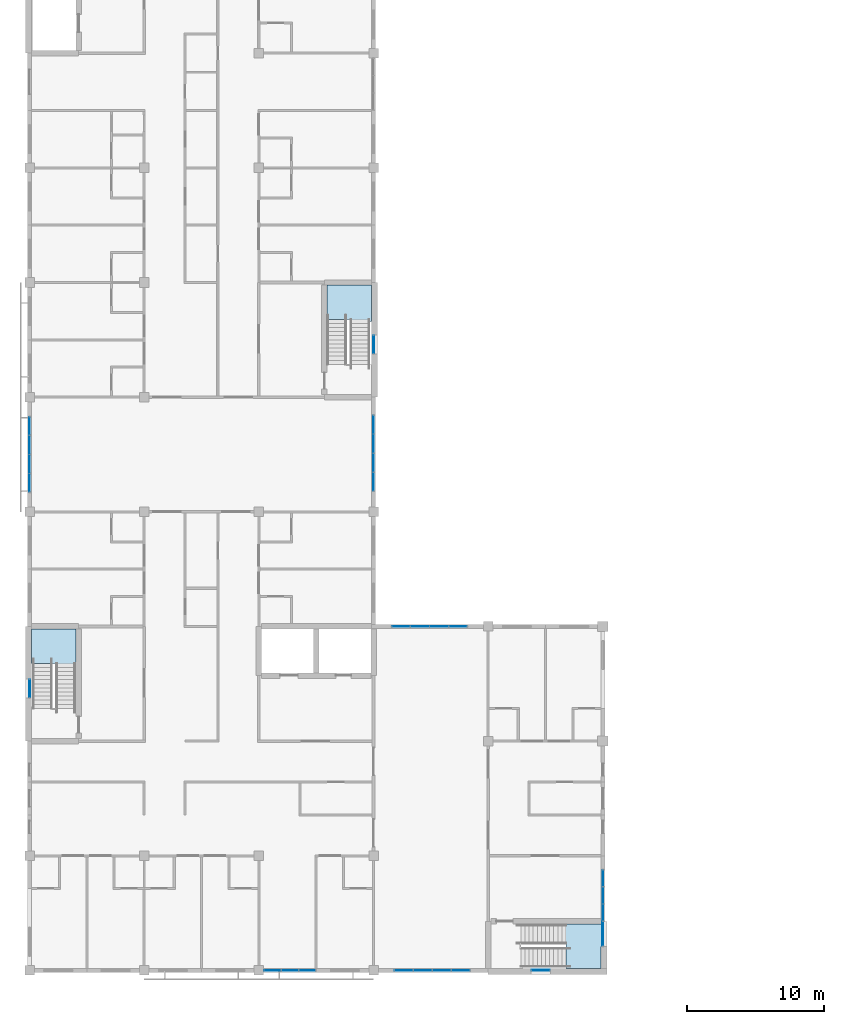
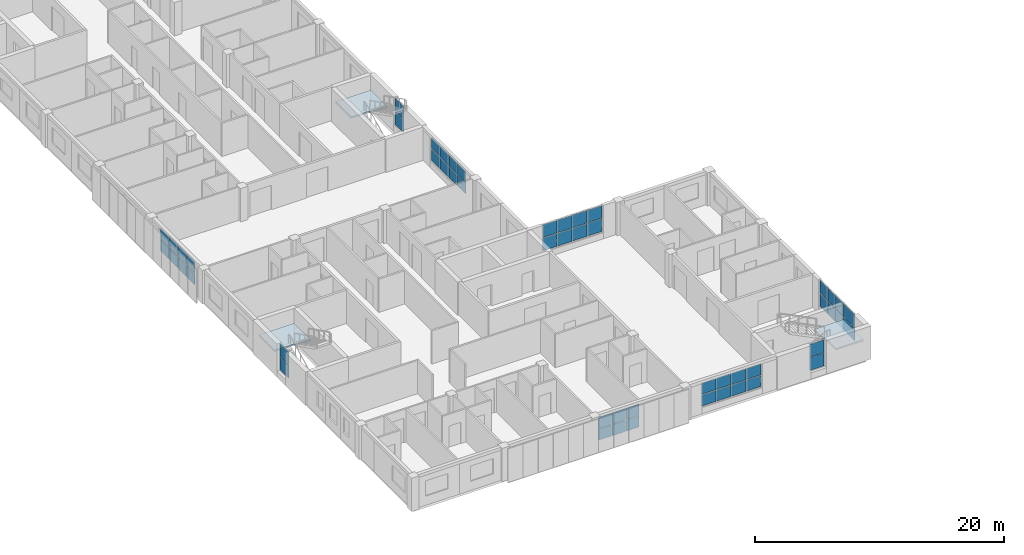
# One storey, part 18 of 45: 52 plates, 3 slabs, 13 elements without a shape of their own.
"""IFC4 building model written with IfcOpenShell, lengths in metres."""

from ifc_helpers import new_model, si_unit, direction, frame, origin, origin_2d, place, context, subcontext, project, spatial, polyline, rectangle, outline, extrude, material, layer, layer_set, type_object, element, aggregate, save


model = new_model("IFC4")

# Units and contexts
model_context = context("Model", 3, precision=1e-05, world=origin(), true_north=direction((0.0, 1.0)))
body_context = subcontext(model_context, "Body", "Model", "MODEL_VIEW")
ifc_project = project(units=[si_unit("LENGTHUNIT", "METRE"), si_unit("AREAUNIT", "SQUARE_METRE"), si_unit("VOLUMEUNIT", "CUBIC_METRE"), si_unit("PLANEANGLEUNIT", "RADIAN"), si_unit("MASSUNIT", "GRAM", prefix="KILO")], contexts=[model_context])

# Site, building, storey
site_placement = place(None, origin())
site = spatial("IfcSite", under=ifc_project, at=site_placement, CompositionType="ELEMENT")
building_placement = place(site_placement, origin())
building = spatial("IfcBuilding", under=site, at=building_placement, Name="Yavir Park General Hospital", CompositionType="ELEMENT")
storey_placement = place(building_placement, frame((0.0, 0.0, 22.5)))
storey = spatial("IfcBuildingStorey", under=building, at=storey_placement, Name="L05", CompositionType="ELEMENT", Elevation=22.5)

# Curtain wall, plates
ifc_material_1 = material(Name="Aluminium curtain wall frame with insulated glazing", Category="aluminium")
curtain_wall_type_1 = type_object("IfcCurtainWallType", Name="Day room pocket glazing, ward floors, 2360 high, 1400 module", PredefinedType="NOTDEFINED", material=ifc_material_1)
curtain_wall_1_placement = place(storey_placement, origin())
curtain_wall_1 = element("IfcCurtainWall", 1, at=curtain_wall_1_placement, inside=storey, type_object=curtain_wall_type_1, Name="CW6 L05-001", PredefinedType="NOTDEFINED")
ifc_material_2 = material(Name="Insulated glazed unit 30 mm, low-e coating")
ifc_layer_1 = layer(ifc_material_2, 0.030029296875)
ifc_layer_set_1 = layer_set([ifc_layer_1], Name="Insulated glazed unit 30 mm, low-e coating")
plate_type_1 = type_object("IfcPlateType", Name="Day room pocket glazing, ward floors, 2360 high panel 30", PredefinedType="CURTAIN_PANEL", material=ifc_layer_set_1)
plate_1_placement = place(storey_placement, frame((17.806640625, 0.0, 0.66015625), z_axis=(0.0, 0.0, 1.0), x_axis=(1.0, 0.0, 0.0)))
plate_1 = element("IfcPlate", 2, at=plate_1_placement, type_object=plate_type_1, Name="CW6 panel 1.1", PredefinedType="CURTAIN_PANEL", context=body_context, shape_type="SweptSolid", body=[
    extrude(rectangle(XDim=1.193359375, YDim=0.030029296875, at=origin_2d()), origin(), (0.0, 0.0, 1.0), 1.090087890625),
])
plate_2_placement = place(storey_placement, frame((17.806640625, 0.0, 1.81005859375), z_axis=(0.0, 0.0, 1.0), x_axis=(1.0, 0.0, 0.0)))
plate_2 = element("IfcPlate", 3, at=plate_2_placement, type_object=plate_type_1, Name="CW6 panel 1.2", PredefinedType="CURTAIN_PANEL", context=body_context, shape_type="SweptSolid", body=[
    extrude(rectangle(XDim=1.193359375, YDim=0.030029296875, at=origin_2d()), origin(), (0.0, 0.0, 1.0), 1.090087890625),
])
plate_3_placement = place(storey_placement, frame((19.074951171875, 0.0, 0.66015625), z_axis=(0.0, 0.0, 1.0), x_axis=(1.0, 0.0, 0.0)))
plate_3 = element("IfcPlate", 4, at=plate_3_placement, type_object=plate_type_1, Name="CW6 panel 2.1", PredefinedType="CURTAIN_PANEL", context=body_context, shape_type="SweptSolid", body=[
    extrude(rectangle(XDim=1.223388671875, YDim=0.030029296875, at=origin_2d()), origin(), (0.0, 0.0, 1.0), 1.090087890625),
])
plate_4_placement = place(storey_placement, frame((19.074951171875, 0.0, 1.81005859375), z_axis=(0.0, 0.0, 1.0), x_axis=(1.0, 0.0, 0.0)))
plate_4 = element("IfcPlate", 5, at=plate_4_placement, type_object=plate_type_1, Name="CW6 panel 2.2", PredefinedType="CURTAIN_PANEL", context=body_context, shape_type="SweptSolid", body=[
    extrude(rectangle(XDim=1.223388671875, YDim=0.030029296875, at=origin_2d()), origin(), (0.0, 0.0, 1.0), 1.090087890625),
])
plate_5_placement = place(storey_placement, frame((20.34326171875, 0.0, 0.66015625), z_axis=(0.0, 0.0, 1.0), x_axis=(1.0, 0.0, 0.0)))
plate_5 = element("IfcPlate", 6, at=plate_5_placement, type_object=plate_type_1, Name="CW6 panel 3.1", PredefinedType="CURTAIN_PANEL", context=body_context, shape_type="SweptSolid", body=[
    extrude(rectangle(XDim=1.193359375, YDim=0.030029296875, at=origin_2d()), origin(), (0.0, 0.0, 1.0), 1.090087890625),
])
plate_6_placement = place(storey_placement, frame((20.34326171875, 0.0, 1.81005859375), z_axis=(0.0, 0.0, 1.0), x_axis=(1.0, 0.0, 0.0)))
plate_6 = element("IfcPlate", 7, at=plate_6_placement, type_object=plate_type_1, Name="CW6 panel 3.2", PredefinedType="CURTAIN_PANEL", context=body_context, shape_type="SweptSolid", body=[
    extrude(rectangle(XDim=1.193359375, YDim=0.030029296875, at=origin_2d()), origin(), (0.0, 0.0, 1.0), 1.090087890625),
])
aggregate(curtain_wall_1, [plate_1, plate_2, plate_3, plate_4, plate_5, plate_6])

curtain_wall_2_placement = place(storey_placement, origin())
curtain_wall_2 = element("IfcCurtainWall", 8, at=curtain_wall_2_placement, inside=storey, type_object=curtain_wall_type_1, Name="CW6 L05-002", PredefinedType="NOTDEFINED")
plate_7_placement = place(storey_placement, frame((27.4150390625, 0.0, 0.66015625), z_axis=(0.0, 0.0, 1.0), x_axis=(1.0, 0.0, 0.0)))
plate_7 = element("IfcPlate", 9, at=plate_7_placement, type_object=plate_type_1, Name="CW6 panel 1.1", PredefinedType="CURTAIN_PANEL", context=body_context, shape_type="SweptSolid", body=[
    extrude(rectangle(XDim=1.31005859375, YDim=0.030029296875, at=origin_2d()), origin(), (0.0, 0.0, 1.0), 1.090087890625),
])
plate_8_placement = place(storey_placement, frame((27.4150390625, 0.0, 1.81005859375), z_axis=(0.0, 0.0, 1.0), x_axis=(1.0, 0.0, 0.0)))
plate_8 = element("IfcPlate", 10, at=plate_8_placement, type_object=plate_type_1, Name="CW6 panel 1.2", PredefinedType="CURTAIN_PANEL", context=body_context, shape_type="SweptSolid", body=[
    extrude(rectangle(XDim=1.31005859375, YDim=0.030029296875, at=origin_2d()), origin(), (0.0, 0.0, 1.0), 1.090087890625),
])
plate_9_placement = place(storey_placement, frame((28.800048828125, 0.0, 0.66015625), z_axis=(0.0, 0.0, 1.0), x_axis=(1.0, 0.0, 0.0)))
plate_9 = element("IfcPlate", 11, at=plate_9_placement, type_object=plate_type_1, Name="CW6 panel 2.1", PredefinedType="CURTAIN_PANEL", context=body_context, shape_type="SweptSolid", body=[
    extrude(rectangle(XDim=1.340087890625, YDim=0.030029296875, at=origin_2d()), origin(), (0.0, 0.0, 1.0), 1.090087890625),
])
plate_10_placement = place(storey_placement, frame((28.800048828125, 0.0, 1.81005859375), z_axis=(0.0, 0.0, 1.0), x_axis=(1.0, 0.0, 0.0)))
plate_10 = element("IfcPlate", 12, at=plate_10_placement, type_object=plate_type_1, Name="CW6 panel 2.2", PredefinedType="CURTAIN_PANEL", context=body_context, shape_type="SweptSolid", body=[
    extrude(rectangle(XDim=1.340087890625, YDim=0.030029296875, at=origin_2d()), origin(), (0.0, 0.0, 1.0), 1.090087890625),
])
plate_11_placement = place(storey_placement, frame((30.199951171875, 0.0, 0.66015625), z_axis=(0.0, 0.0, 1.0), x_axis=(1.0, 0.0, 0.0)))
plate_11 = element("IfcPlate", 13, at=plate_11_placement, type_object=plate_type_1, Name="CW6 panel 3.1", PredefinedType="CURTAIN_PANEL", context=body_context, shape_type="SweptSolid", body=[
    extrude(rectangle(XDim=1.340087890625, YDim=0.030029296875, at=origin_2d()), origin(), (0.0, 0.0, 1.0), 1.090087890625),
])
plate_12_placement = place(storey_placement, frame((30.199951171875, 0.0, 1.81005859375), z_axis=(0.0, 0.0, 1.0), x_axis=(1.0, 0.0, 0.0)))
plate_12 = element("IfcPlate", 14, at=plate_12_placement, type_object=plate_type_1, Name="CW6 panel 3.2", PredefinedType="CURTAIN_PANEL", context=body_context, shape_type="SweptSolid", body=[
    extrude(rectangle(XDim=1.340087890625, YDim=0.030029296875, at=origin_2d()), origin(), (0.0, 0.0, 1.0), 1.090087890625),
])
plate_13_placement = place(storey_placement, frame((31.5849609375, 0.0, 0.66015625), z_axis=(0.0, 0.0, 1.0), x_axis=(1.0, 0.0, 0.0)))
plate_13 = element("IfcPlate", 15, at=plate_13_placement, type_object=plate_type_1, Name="CW6 panel 4.1", PredefinedType="CURTAIN_PANEL", context=body_context, shape_type="SweptSolid", body=[
    extrude(rectangle(XDim=1.31005859375, YDim=0.030029296875, at=origin_2d()), origin(), (0.0, 0.0, 1.0), 1.090087890625),
])
plate_14_placement = place(storey_placement, frame((31.5849609375, 0.0, 1.81005859375), z_axis=(0.0, 0.0, 1.0), x_axis=(1.0, 0.0, 0.0)))
plate_14 = element("IfcPlate", 16, at=plate_14_placement, type_object=plate_type_1, Name="CW6 panel 4.2", PredefinedType="CURTAIN_PANEL", context=body_context, shape_type="SweptSolid", body=[
    extrude(rectangle(XDim=1.31005859375, YDim=0.030029296875, at=origin_2d()), origin(), (0.0, 0.0, 1.0), 1.090087890625),
])
aggregate(curtain_wall_2, [plate_7, plate_8, plate_9, plate_10, plate_11, plate_12, plate_13, plate_14])

curtain_wall_3_placement = place(storey_placement, origin())
curtain_wall_3 = element("IfcCurtainWall", 17, at=curtain_wall_3_placement, inside=storey, type_object=curtain_wall_type_1, Name="CW6 L05-018", PredefinedType="NOTDEFINED")
plate_15_placement = place(storey_placement, frame((0.0, 35.715087890625, 0.66015625), z_axis=(0.0, 0.0, 1.0), x_axis=(0.0, 1.0, 0.0)))
plate_15 = element("IfcPlate", 18, at=plate_15_placement, type_object=plate_type_1, Name="CW6 panel 1.1", PredefinedType="CURTAIN_PANEL", context=body_context, shape_type="SweptSolid", body=[
    extrude(rectangle(XDim=1.31005859375, YDim=0.030029296875, at=origin_2d()), origin(), (0.0, 0.0, 1.0), 1.090087890625),
])
plate_16_placement = place(storey_placement, frame((0.0, 35.715087890625, 1.81005859375), z_axis=(0.0, 0.0, 1.0), x_axis=(0.0, 1.0, 0.0)))
plate_16 = element("IfcPlate", 19, at=plate_16_placement, type_object=plate_type_1, Name="CW6 panel 1.2", PredefinedType="CURTAIN_PANEL", context=body_context, shape_type="SweptSolid", body=[
    extrude(rectangle(XDim=1.31005859375, YDim=0.030029296875, at=origin_2d()), origin(), (0.0, 0.0, 1.0), 1.090087890625),
])
plate_17_placement = place(storey_placement, frame((0.0, 37.10009765625, 0.66015625), z_axis=(0.0, 0.0, 1.0), x_axis=(0.0, 1.0, 0.0)))
plate_17 = element("IfcPlate", 20, at=plate_17_placement, type_object=plate_type_1, Name="CW6 panel 2.1", PredefinedType="CURTAIN_PANEL", context=body_context, shape_type="SweptSolid", body=[
    extrude(rectangle(XDim=1.340087890625, YDim=0.030029296875, at=origin_2d()), origin(), (0.0, 0.0, 1.0), 1.090087890625),
])
plate_18_placement = place(storey_placement, frame((0.0, 37.10009765625, 1.81005859375), z_axis=(0.0, 0.0, 1.0), x_axis=(0.0, 1.0, 0.0)))
plate_18 = element("IfcPlate", 21, at=plate_18_placement, type_object=plate_type_1, Name="CW6 panel 2.2", PredefinedType="CURTAIN_PANEL", context=body_context, shape_type="SweptSolid", body=[
    extrude(rectangle(XDim=1.340087890625, YDim=0.030029296875, at=origin_2d()), origin(), (0.0, 0.0, 1.0), 1.090087890625),
])
plate_19_placement = place(storey_placement, frame((0.0, 38.5, 0.66015625), z_axis=(0.0, 0.0, 1.0), x_axis=(0.0, 1.0, 0.0)))
plate_19 = element("IfcPlate", 22, at=plate_19_placement, type_object=plate_type_1, Name="CW6 panel 3.1", PredefinedType="CURTAIN_PANEL", context=body_context, shape_type="SweptSolid", body=[
    extrude(rectangle(XDim=1.340087890625, YDim=0.030029296875, at=origin_2d()), origin(), (0.0, 0.0, 1.0), 1.090087890625),
])
plate_20_placement = place(storey_placement, frame((0.0, 38.5, 1.81005859375), z_axis=(0.0, 0.0, 1.0), x_axis=(0.0, 1.0, 0.0)))
plate_20 = element("IfcPlate", 23, at=plate_20_placement, type_object=plate_type_1, Name="CW6 panel 3.2", PredefinedType="CURTAIN_PANEL", context=body_context, shape_type="SweptSolid", body=[
    extrude(rectangle(XDim=1.340087890625, YDim=0.030029296875, at=origin_2d()), origin(), (0.0, 0.0, 1.0), 1.090087890625),
])
plate_21_placement = place(storey_placement, frame((0.0, 39.885009765625, 0.66015625), z_axis=(0.0, 0.0, 1.0), x_axis=(0.0, 1.0, 0.0)))
plate_21 = element("IfcPlate", 24, at=plate_21_placement, type_object=plate_type_1, Name="CW6 panel 4.1", PredefinedType="CURTAIN_PANEL", context=body_context, shape_type="SweptSolid", body=[
    extrude(rectangle(XDim=1.31005859375, YDim=0.030029296875, at=origin_2d()), origin(), (0.0, 0.0, 1.0), 1.090087890625),
])
plate_22_placement = place(storey_placement, frame((0.0, 39.885009765625, 1.81005859375), z_axis=(0.0, 0.0, 1.0), x_axis=(0.0, 1.0, 0.0)))
plate_22 = element("IfcPlate", 25, at=plate_22_placement, type_object=plate_type_1, Name="CW6 panel 4.2", PredefinedType="CURTAIN_PANEL", context=body_context, shape_type="SweptSolid", body=[
    extrude(rectangle(XDim=1.31005859375, YDim=0.030029296875, at=origin_2d()), origin(), (0.0, 0.0, 1.0), 1.090087890625),
])
aggregate(curtain_wall_3, [plate_15, plate_16, plate_17, plate_18, plate_19, plate_20, plate_21, plate_22])

curtain_wall_4_placement = place(storey_placement, origin())
curtain_wall_4 = element("IfcCurtainWall", 26, at=curtain_wall_4_placement, inside=storey, type_object=curtain_wall_type_1, Name="CW6 L05-020", PredefinedType="NOTDEFINED")
plate_23_placement = place(storey_placement, frame((25.199951171875, 35.81494140625, 0.66015625), z_axis=(0.0, 0.0, 1.0), x_axis=(0.0, 1.0, 0.0)))
plate_23 = element("IfcPlate", 27, at=plate_23_placement, type_object=plate_type_1, Name="CW6 panel 1.1", PredefinedType="CURTAIN_PANEL", context=body_context, shape_type="SweptSolid", body=[
    extrude(rectangle(XDim=1.31005859375, YDim=0.030029296875, at=origin_2d()), origin(), (0.0, 0.0, 1.0), 1.090087890625),
])
plate_24_placement = place(storey_placement, frame((25.199951171875, 35.81494140625, 1.81005859375), z_axis=(0.0, 0.0, 1.0), x_axis=(0.0, 1.0, 0.0)))
plate_24 = element("IfcPlate", 28, at=plate_24_placement, type_object=plate_type_1, Name="CW6 panel 1.2", PredefinedType="CURTAIN_PANEL", context=body_context, shape_type="SweptSolid", body=[
    extrude(rectangle(XDim=1.31005859375, YDim=0.030029296875, at=origin_2d()), origin(), (0.0, 0.0, 1.0), 1.090087890625),
])
plate_25_placement = place(storey_placement, frame((25.199951171875, 37.199951171875, 0.66015625), z_axis=(0.0, 0.0, 1.0), x_axis=(0.0, 1.0, 0.0)))
plate_25 = element("IfcPlate", 29, at=plate_25_placement, type_object=plate_type_1, Name="CW6 panel 2.1", PredefinedType="CURTAIN_PANEL", context=body_context, shape_type="SweptSolid", body=[
    extrude(rectangle(XDim=1.340087890625, YDim=0.030029296875, at=origin_2d()), origin(), (0.0, 0.0, 1.0), 1.090087890625),
])
plate_26_placement = place(storey_placement, frame((25.199951171875, 37.199951171875, 1.81005859375), z_axis=(0.0, 0.0, 1.0), x_axis=(0.0, 1.0, 0.0)))
plate_26 = element("IfcPlate", 30, at=plate_26_placement, type_object=plate_type_1, Name="CW6 panel 2.2", PredefinedType="CURTAIN_PANEL", context=body_context, shape_type="SweptSolid", body=[
    extrude(rectangle(XDim=1.340087890625, YDim=0.030029296875, at=origin_2d()), origin(), (0.0, 0.0, 1.0), 1.090087890625),
])
plate_27_placement = place(storey_placement, frame((25.199951171875, 38.60009765625, 0.66015625), z_axis=(0.0, 0.0, 1.0), x_axis=(0.0, 1.0, 0.0)))
plate_27 = element("IfcPlate", 31, at=plate_27_placement, type_object=plate_type_1, Name="CW6 panel 3.1", PredefinedType="CURTAIN_PANEL", context=body_context, shape_type="SweptSolid", body=[
    extrude(rectangle(XDim=1.340087890625, YDim=0.030029296875, at=origin_2d()), origin(), (0.0, 0.0, 1.0), 1.090087890625),
])
plate_28_placement = place(storey_placement, frame((25.199951171875, 38.60009765625, 1.81005859375), z_axis=(0.0, 0.0, 1.0), x_axis=(0.0, 1.0, 0.0)))
plate_28 = element("IfcPlate", 32, at=plate_28_placement, type_object=plate_type_1, Name="CW6 panel 3.2", PredefinedType="CURTAIN_PANEL", context=body_context, shape_type="SweptSolid", body=[
    extrude(rectangle(XDim=1.340087890625, YDim=0.030029296875, at=origin_2d()), origin(), (0.0, 0.0, 1.0), 1.090087890625),
])
plate_29_placement = place(storey_placement, frame((25.199951171875, 39.985107421875, 0.66015625), z_axis=(0.0, 0.0, 1.0), x_axis=(0.0, 1.0, 0.0)))
plate_29 = element("IfcPlate", 33, at=plate_29_placement, type_object=plate_type_1, Name="CW6 panel 4.1", PredefinedType="CURTAIN_PANEL", context=body_context, shape_type="SweptSolid", body=[
    extrude(rectangle(XDim=1.31005859375, YDim=0.030029296875, at=origin_2d()), origin(), (0.0, 0.0, 1.0), 1.090087890625),
])
plate_30_placement = place(storey_placement, frame((25.199951171875, 39.985107421875, 1.81005859375), z_axis=(0.0, 0.0, 1.0), x_axis=(0.0, 1.0, 0.0)))
plate_30 = element("IfcPlate", 34, at=plate_30_placement, type_object=plate_type_1, Name="CW6 panel 4.2", PredefinedType="CURTAIN_PANEL", context=body_context, shape_type="SweptSolid", body=[
    extrude(rectangle(XDim=1.31005859375, YDim=0.030029296875, at=origin_2d()), origin(), (0.0, 0.0, 1.0), 1.090087890625),
])
aggregate(curtain_wall_4, [plate_23, plate_24, plate_25, plate_26, plate_27, plate_28, plate_29, plate_30])

ifc_material_3 = material(Name="Aluminium curtain wall frame with insulated glazing", Category="aluminium")
curtain_wall_type_2 = type_object("IfcCurtainWallType", Name="Day room pocket glazing, ward floors, 2660 high, 1400 module", PredefinedType="NOTDEFINED", material=ifc_material_3)
curtain_wall_5_placement = place(storey_placement, origin())
curtain_wall_5 = element("IfcCurtainWall", 35, at=curtain_wall_5_placement, inside=storey, type_object=curtain_wall_type_2, Name="CW62 L05-010", PredefinedType="NOTDEFINED")
ifc_material_4 = material(Name="Insulated glazed unit 30 mm, low-e coating")
ifc_layer_2 = layer(ifc_material_4, 0.030029296875)
ifc_layer_set_2 = layer_set([ifc_layer_2], Name="Insulated glazed unit 30 mm, low-e coating")
plate_type_2 = type_object("IfcPlateType", Name="Day room pocket glazing, ward floors, 2660 high panel 30", PredefinedType="CURTAIN_PANEL", material=ifc_layer_set_2)
plate_31_placement = place(storey_placement, frame((27.215087890625, 25.199951171875, 0.66015625), z_axis=(0.0, 0.0, 1.0), x_axis=(1.0, 0.0, 0.0)))
plate_31 = element("IfcPlate", 36, at=plate_31_placement, type_object=plate_type_2, Name="CW62 panel 1.1", PredefinedType="CURTAIN_PANEL", context=body_context, shape_type="SweptSolid", body=[
    extrude(rectangle(XDim=1.31005859375, YDim=0.030029296875, at=origin_2d()), origin(), (0.0, 0.0, 1.0), 1.239990234375),
])
plate_32_placement = place(storey_placement, frame((27.215087890625, 25.199951171875, 1.9599609375), z_axis=(0.0, 0.0, 1.0), x_axis=(1.0, 0.0, 0.0)))
plate_32 = element("IfcPlate", 37, at=plate_32_placement, type_object=plate_type_2, Name="CW62 panel 1.2", PredefinedType="CURTAIN_PANEL", context=body_context, shape_type="SweptSolid", body=[
    extrude(rectangle(XDim=1.31005859375, YDim=0.030029296875, at=origin_2d()), origin(), (0.0, 0.0, 1.0), 1.239990234375),
])
plate_33_placement = place(storey_placement, frame((28.60009765625, 25.199951171875, 0.66015625), z_axis=(0.0, 0.0, 1.0), x_axis=(1.0, 0.0, 0.0)))
plate_33 = element("IfcPlate", 38, at=plate_33_placement, type_object=plate_type_2, Name="CW62 panel 2.1", PredefinedType="CURTAIN_PANEL", context=body_context, shape_type="SweptSolid", body=[
    extrude(rectangle(XDim=1.340087890625, YDim=0.030029296875, at=origin_2d()), origin(), (0.0, 0.0, 1.0), 1.239990234375),
])
plate_34_placement = place(storey_placement, frame((28.60009765625, 25.199951171875, 1.9599609375), z_axis=(0.0, 0.0, 1.0), x_axis=(1.0, 0.0, 0.0)))
plate_34 = element("IfcPlate", 39, at=plate_34_placement, type_object=plate_type_2, Name="CW62 panel 2.2", PredefinedType="CURTAIN_PANEL", context=body_context, shape_type="SweptSolid", body=[
    extrude(rectangle(XDim=1.340087890625, YDim=0.030029296875, at=origin_2d()), origin(), (0.0, 0.0, 1.0), 1.239990234375),
])
plate_35_placement = place(storey_placement, frame((30.0, 25.199951171875, 0.66015625), z_axis=(0.0, 0.0, 1.0), x_axis=(1.0, 0.0, 0.0)))
plate_35 = element("IfcPlate", 40, at=plate_35_placement, type_object=plate_type_2, Name="CW62 panel 3.1", PredefinedType="CURTAIN_PANEL", context=body_context, shape_type="SweptSolid", body=[
    extrude(rectangle(XDim=1.340087890625, YDim=0.030029296875, at=origin_2d()), origin(), (0.0, 0.0, 1.0), 1.239990234375),
])
plate_36_placement = place(storey_placement, frame((30.0, 25.199951171875, 1.9599609375), z_axis=(0.0, 0.0, 1.0), x_axis=(1.0, 0.0, 0.0)))
plate_36 = element("IfcPlate", 41, at=plate_36_placement, type_object=plate_type_2, Name="CW62 panel 3.2", PredefinedType="CURTAIN_PANEL", context=body_context, shape_type="SweptSolid", body=[
    extrude(rectangle(XDim=1.340087890625, YDim=0.030029296875, at=origin_2d()), origin(), (0.0, 0.0, 1.0), 1.239990234375),
])
plate_37_placement = place(storey_placement, frame((31.385009765625, 25.199951171875, 0.66015625), z_axis=(0.0, 0.0, 1.0), x_axis=(1.0, 0.0, 0.0)))
plate_37 = element("IfcPlate", 42, at=plate_37_placement, type_object=plate_type_2, Name="CW62 panel 4.1", PredefinedType="CURTAIN_PANEL", context=body_context, shape_type="SweptSolid", body=[
    extrude(rectangle(XDim=1.31005859375, YDim=0.030029296875, at=origin_2d()), origin(), (0.0, 0.0, 1.0), 1.239990234375),
])
plate_38_placement = place(storey_placement, frame((31.385009765625, 25.199951171875, 1.9599609375), z_axis=(0.0, 0.0, 1.0), x_axis=(1.0, 0.0, 0.0)))
plate_38 = element("IfcPlate", 43, at=plate_38_placement, type_object=plate_type_2, Name="CW62 panel 4.2", PredefinedType="CURTAIN_PANEL", context=body_context, shape_type="SweptSolid", body=[
    extrude(rectangle(XDim=1.31005859375, YDim=0.030029296875, at=origin_2d()), origin(), (0.0, 0.0, 1.0), 1.239990234375),
])
aggregate(curtain_wall_5, [plate_31, plate_32, plate_33, plate_34, plate_35, plate_36, plate_37, plate_38])

# Stair, slab
ifc_material_5 = material(Name="Concrete C30/37", Category="concrete")
stair_type = type_object("IfcStairType", Name="Patient escape stair, 24 risers of 150 mm, 1400 mm flights", PredefinedType="HALF_TURN_STAIR", material=ifc_material_5)
stair_1_placement = place(storey_placement, origin())
stair_1 = element("IfcStair", 44, at=stair_1_placement, inside=storey, type_object=stair_type, Name="Stair SU1, L05 to L06", PredefinedType="HALF_TURN_STAIR")
ifc_material_6 = material(Name="Concrete C30/37", Category="concrete")
ifc_layer_3 = layer(ifc_material_6, 0.159912109375)
ifc_layer_set_3 = layer_set([ifc_layer_3], Name="Concrete C30/37")
slab_type = type_object("IfcSlabType", Name="Patient escape stair half landing, reinforced concrete 160 mm", PredefinedType="LANDING", material=ifc_layer_set_3)
slab_1_placement = place(storey_placement, frame((0.0, 0.0, 1.639892578125)))
slab_1 = element("IfcSlab", 45, at=slab_1_placement, type_object=slab_type, Name="SU1 landing 1", PredefinedType="LANDING", context=body_context, shape_type="SweptSolid", body=[
    extrude(outline(polyline([(0.14990234375, 22.49853515625), (0.14990234375, 25.0), (3.39990234375, 25.0), (3.39990234375, 22.35009765625), (1.949951171875, 22.35009765625), (1.949951171875, 22.49853515625), (0.14990234375, 22.49853515625)])), origin(), (0.0, 0.0, 1.0), 0.16015625),
])
aggregate(stair_1, [slab_1])

stair_2_placement = place(storey_placement, origin())
stair_2 = element("IfcStair", 46, at=stair_2_placement, inside=storey, type_object=stair_type, Name="Stair SU2, L05 to L06", PredefinedType="HALF_TURN_STAIR")
slab_2_placement = place(storey_placement, frame((0.0, 0.0, 1.639892578125)))
slab_2 = element("IfcSlab", 47, at=slab_2_placement, type_object=slab_type, Name="SU2 landing 1", PredefinedType="LANDING", context=body_context, shape_type="SweptSolid", body=[
    extrude(outline(polyline([(39.298583984375, 0.14990234375), (41.85009765625, 0.14990234375), (41.85009765625, 3.39990234375), (39.14990234375, 3.39990234375), (39.14990234375, 1.949951171875), (39.298583984375, 1.949951171875), (39.298583984375, 0.14990234375)])), origin(), (0.0, 0.0, 1.0), 0.16015625),
])
aggregate(stair_2, [slab_2])

stair_3_placement = place(storey_placement, origin())
stair_3 = element("IfcStair", 48, at=stair_3_placement, inside=storey, type_object=stair_type, Name="Stair SW1, L05 to L06", PredefinedType="HALF_TURN_STAIR")
slab_3_placement = place(storey_placement, frame((0.0, 0.0, 1.639892578125)))
slab_3 = element("IfcSlab", 49, at=slab_3_placement, type_object=slab_type, Name="SW1 landing 1", PredefinedType="LANDING", context=body_context, shape_type="SweptSolid", body=[
    extrude(outline(polyline([(21.800048828125, 47.698486328125), (21.800048828125, 50.199951171875), (25.050048828125, 50.199951171875), (25.050048828125, 47.550048828125), (23.5, 47.550048828125), (23.5, 47.698486328125), (21.800048828125, 47.698486328125)])), origin(), (0.0, 0.0, 1.0), 0.16015625),
])
aggregate(stair_3, [slab_3])

# Curtain wall, plates
ifc_material_7 = material(Name="Aluminium curtain wall frame with insulated glazing", Category="aluminium")
curtain_wall_type_3 = type_object("IfcCurtainWallType", Name="Stair light slot, ward floors, 2660 high, 1400 module", PredefinedType="NOTDEFINED", material=ifc_material_7)
curtain_wall_6_placement = place(storey_placement, origin())
curtain_wall_6 = element("IfcCurtainWall", 50, at=curtain_wall_6_placement, inside=storey, type_object=curtain_wall_type_3, Name="CW10 L05-003", PredefinedType="NOTDEFINED")
ifc_material_8 = material(Name="Fire-resisting glazed unit 70 mm")
ifc_layer_4 = layer(ifc_material_8, 0.070068359375)
ifc_layer_set_4 = layer_set([ifc_layer_4], Name="Fire-resisting glazed unit 70 mm")
plate_type_3 = type_object("IfcPlateType", Name="Stair light slot, ward floors, 2660 high panel 70", PredefinedType="CURTAIN_PANEL", material=ifc_layer_set_4)
plate_39_placement = place(storey_placement, frame((37.449951171875, 0.0, 0.650146484375), z_axis=(0.0, 0.0, 1.0), x_axis=(1.0, 0.0, 0.0)))
plate_39 = element("IfcPlate", 51, at=plate_39_placement, type_object=plate_type_3, Name="CW10 panel 1.1", PredefinedType="CURTAIN_PANEL", context=body_context, shape_type="SweptSolid", body=[
    extrude(rectangle(XDim=1.300048828125, YDim=0.070068359375, at=origin_2d()), origin(), (0.0, 0.0, 1.0), 1.2548828125),
])
plate_40_placement = place(storey_placement, frame((37.449951171875, 0.0, 1.955078125), z_axis=(0.0, 0.0, 1.0), x_axis=(1.0, 0.0, 0.0)))
plate_40 = element("IfcPlate", 52, at=plate_40_placement, type_object=plate_type_3, Name="CW10 panel 1.2", PredefinedType="CURTAIN_PANEL", context=body_context, shape_type="SweptSolid", body=[
    extrude(rectangle(XDim=1.300048828125, YDim=0.070068359375, at=origin_2d()), origin(), (0.0, 0.0, 1.0), 1.2548828125),
])
aggregate(curtain_wall_6, [plate_39, plate_40])

curtain_wall_7_placement = place(storey_placement, origin())
curtain_wall_7 = element("IfcCurtainWall", 53, at=curtain_wall_7_placement, inside=storey, type_object=curtain_wall_type_3, Name="CW10 L05-017", PredefinedType="NOTDEFINED")
plate_41_placement = place(storey_placement, frame((0.0, 20.64990234375, 0.650146484375), z_axis=(0.0, 0.0, 1.0), x_axis=(0.0, 1.0, 0.0)))
plate_41 = element("IfcPlate", 54, at=plate_41_placement, type_object=plate_type_3, Name="CW10 panel 1.1", PredefinedType="CURTAIN_PANEL", context=body_context, shape_type="SweptSolid", body=[
    extrude(rectangle(XDim=1.300048828125, YDim=0.070068359375, at=origin_2d()), origin(), (0.0, 0.0, 1.0), 1.2548828125),
])
plate_42_placement = place(storey_placement, frame((0.0, 20.64990234375, 1.955078125), z_axis=(0.0, 0.0, 1.0), x_axis=(0.0, 1.0, 0.0)))
plate_42 = element("IfcPlate", 55, at=plate_42_placement, type_object=plate_type_3, Name="CW10 panel 1.2", PredefinedType="CURTAIN_PANEL", context=body_context, shape_type="SweptSolid", body=[
    extrude(rectangle(XDim=1.300048828125, YDim=0.070068359375, at=origin_2d()), origin(), (0.0, 0.0, 1.0), 1.2548828125),
])
aggregate(curtain_wall_7, [plate_41, plate_42])

curtain_wall_8_placement = place(storey_placement, origin())
curtain_wall_8 = element("IfcCurtainWall", 56, at=curtain_wall_8_placement, inside=storey, type_object=curtain_wall_type_3, Name="CW10 L05-021", PredefinedType="NOTDEFINED")
plate_43_placement = place(storey_placement, frame((25.199951171875, 45.85009765625, 0.650146484375), z_axis=(0.0, 0.0, 1.0), x_axis=(0.0, 1.0, 0.0)))
plate_43 = element("IfcPlate", 57, at=plate_43_placement, type_object=plate_type_3, Name="CW10 panel 1.1", PredefinedType="CURTAIN_PANEL", context=body_context, shape_type="SweptSolid", body=[
    extrude(rectangle(XDim=1.300048828125, YDim=0.070068359375, at=origin_2d()), origin(), (0.0, 0.0, 1.0), 1.2548828125),
])
plate_44_placement = place(storey_placement, frame((25.199951171875, 45.85009765625, 1.955078125), z_axis=(0.0, 0.0, 1.0), x_axis=(0.0, 1.0, 0.0)))
plate_44 = element("IfcPlate", 58, at=plate_44_placement, type_object=plate_type_3, Name="CW10 panel 1.2", PredefinedType="CURTAIN_PANEL", context=body_context, shape_type="SweptSolid", body=[
    extrude(rectangle(XDim=1.300048828125, YDim=0.070068359375, at=origin_2d()), origin(), (0.0, 0.0, 1.0), 1.2548828125),
])
aggregate(curtain_wall_8, [plate_43, plate_44])

curtain_wall_9_placement = place(storey_placement, origin())
curtain_wall_9 = element("IfcCurtainWall", 59, at=curtain_wall_9_placement, inside=storey, type_object=curtain_wall_type_3, Name="CW10 L05-026", PredefinedType="NOTDEFINED")
plate_45_placement = place(storey_placement, frame((42.0, 2.675048828125, 0.650146484375), z_axis=(0.0, 0.0, 1.0), x_axis=(0.0, 1.0, 0.0)))
plate_45 = element("IfcPlate", 60, at=plate_45_placement, type_object=plate_type_3, Name="CW10 panel 1.1", PredefinedType="CURTAIN_PANEL", context=body_context, shape_type="SweptSolid", body=[
    extrude(rectangle(XDim=1.75, YDim=0.070068359375, at=origin_2d()), origin(), (0.0, 0.0, 1.0), 1.2548828125),
])
plate_46_placement = place(storey_placement, frame((42.0, 2.675048828125, 1.955078125), z_axis=(0.0, 0.0, 1.0), x_axis=(0.0, 1.0, 0.0)))
plate_46 = element("IfcPlate", 61, at=plate_46_placement, type_object=plate_type_3, Name="CW10 panel 1.2", PredefinedType="CURTAIN_PANEL", context=body_context, shape_type="SweptSolid", body=[
    extrude(rectangle(XDim=1.75, YDim=0.070068359375, at=origin_2d()), origin(), (0.0, 0.0, 1.0), 1.2548828125),
])
aggregate(curtain_wall_9, [plate_45, plate_46])

ifc_material_9 = material(Name="Aluminium curtain wall frame with insulated glazing", Category="aluminium")
curtain_wall_type_4 = type_object("IfcCurtainWallType", Name="Ward corridor end glazing, 2660 high, 1400 module", PredefinedType="NOTDEFINED", material=ifc_material_9)
curtain_wall_10_placement = place(storey_placement, origin())
curtain_wall_10 = element("IfcCurtainWall", 62, at=curtain_wall_10_placement, inside=storey, type_object=curtain_wall_type_4, Name="CW15 L05-027", PredefinedType="NOTDEFINED")
ifc_material_10 = material(Name="Insulated glazed unit 30 mm, low-e coating")
ifc_layer_5 = layer(ifc_material_10, 0.030029296875)
ifc_layer_set_5 = layer_set([ifc_layer_5], Name="Insulated glazed unit 30 mm, low-e coating")
plate_type_4 = type_object("IfcPlateType", Name="Ward corridor end glazing, 2660 high panel 30", PredefinedType="CURTAIN_PANEL", material=ifc_layer_set_5)
plate_47_placement = place(storey_placement, frame((42.0, 4.245849609375, 0.650146484375), z_axis=(0.0, 0.0, 1.0), x_axis=(0.0, 1.0, 0.0)))
plate_47 = element("IfcPlate", 63, at=plate_47_placement, type_object=plate_type_4, Name="CW15 panel 1.1", PredefinedType="CURTAIN_PANEL", context=body_context, shape_type="SweptSolid", body=[
    extrude(rectangle(XDim=1.191650390625, YDim=0.030029296875, at=origin_2d()), origin(), (0.0, 0.0, 1.0), 1.2548828125),
])
plate_48_placement = place(storey_placement, frame((42.0, 4.245849609375, 1.955078125), z_axis=(0.0, 0.0, 1.0), x_axis=(0.0, 1.0, 0.0)))
plate_48 = element("IfcPlate", 64, at=plate_48_placement, type_object=plate_type_4, Name="CW15 panel 1.2", PredefinedType="CURTAIN_PANEL", context=body_context, shape_type="SweptSolid", body=[
    extrude(rectangle(XDim=1.191650390625, YDim=0.030029296875, at=origin_2d()), origin(), (0.0, 0.0, 1.0), 1.2548828125),
])
plate_49_placement = place(storey_placement, frame((42.0, 5.5, 0.650146484375), z_axis=(0.0, 0.0, 1.0), x_axis=(0.0, 1.0, 0.0)))
plate_49 = element("IfcPlate", 65, at=plate_49_placement, type_object=plate_type_4, Name="CW15 panel 2.1", PredefinedType="CURTAIN_PANEL", context=body_context, shape_type="SweptSolid", body=[
    extrude(rectangle(XDim=1.216552734375, YDim=0.030029296875, at=origin_2d()), origin(), (0.0, 0.0, 1.0), 1.2548828125),
])
plate_50_placement = place(storey_placement, frame((42.0, 5.5, 1.955078125), z_axis=(0.0, 0.0, 1.0), x_axis=(0.0, 1.0, 0.0)))
plate_50 = element("IfcPlate", 66, at=plate_50_placement, type_object=plate_type_4, Name="CW15 panel 2.2", PredefinedType="CURTAIN_PANEL", context=body_context, shape_type="SweptSolid", body=[
    extrude(rectangle(XDim=1.216552734375, YDim=0.030029296875, at=origin_2d()), origin(), (0.0, 0.0, 1.0), 1.2548828125),
])
plate_51_placement = place(storey_placement, frame((42.0, 6.754150390625, 0.650146484375), z_axis=(0.0, 0.0, 1.0), x_axis=(0.0, 1.0, 0.0)))
plate_51 = element("IfcPlate", 67, at=plate_51_placement, type_object=plate_type_4, Name="CW15 panel 3.1", PredefinedType="CURTAIN_PANEL", context=body_context, shape_type="SweptSolid", body=[
    extrude(rectangle(XDim=1.191650390625, YDim=0.030029296875, at=origin_2d()), origin(), (0.0, 0.0, 1.0), 1.2548828125),
])
plate_52_placement = place(storey_placement, frame((42.0, 6.754150390625, 1.955078125), z_axis=(0.0, 0.0, 1.0), x_axis=(0.0, 1.0, 0.0)))
plate_52 = element("IfcPlate", 68, at=plate_52_placement, type_object=plate_type_4, Name="CW15 panel 3.2", PredefinedType="CURTAIN_PANEL", context=body_context, shape_type="SweptSolid", body=[
    extrude(rectangle(XDim=1.191650390625, YDim=0.030029296875, at=origin_2d()), origin(), (0.0, 0.0, 1.0), 1.2548828125),
])
aggregate(curtain_wall_10, [plate_47, plate_48, plate_49, plate_50, plate_51, plate_52])

save(model, "model.ifc")
